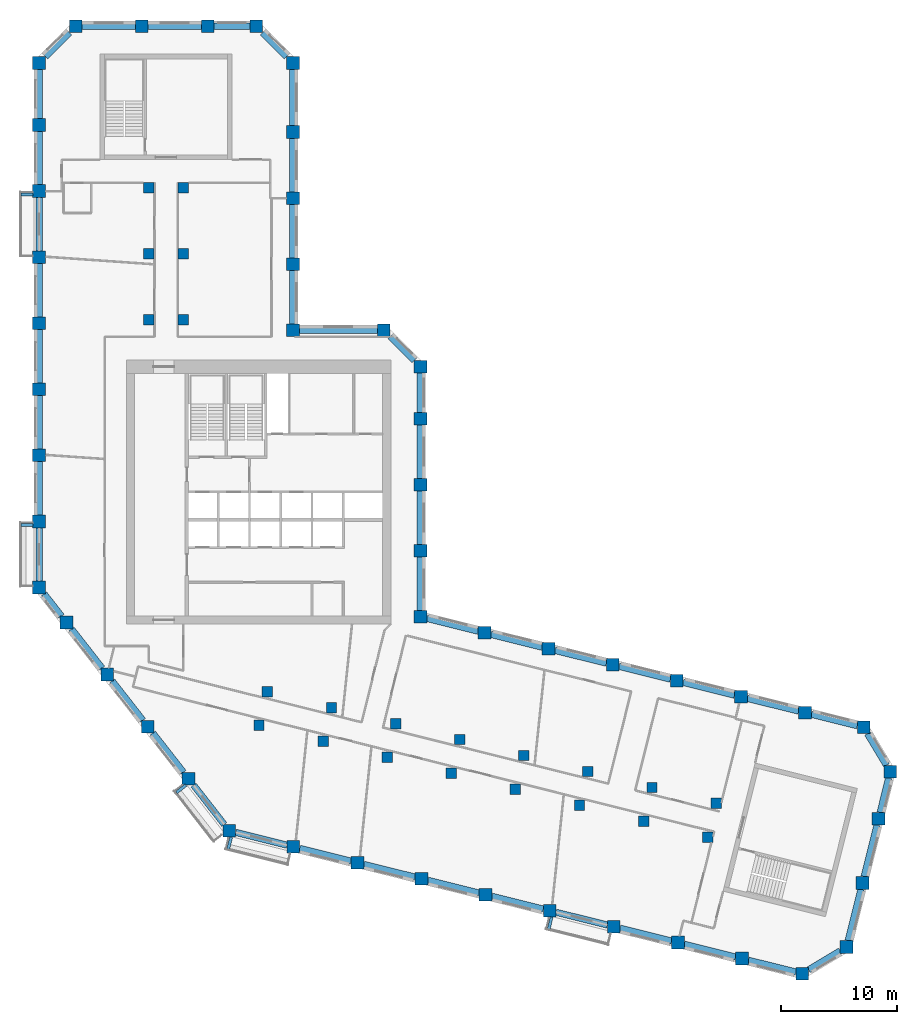
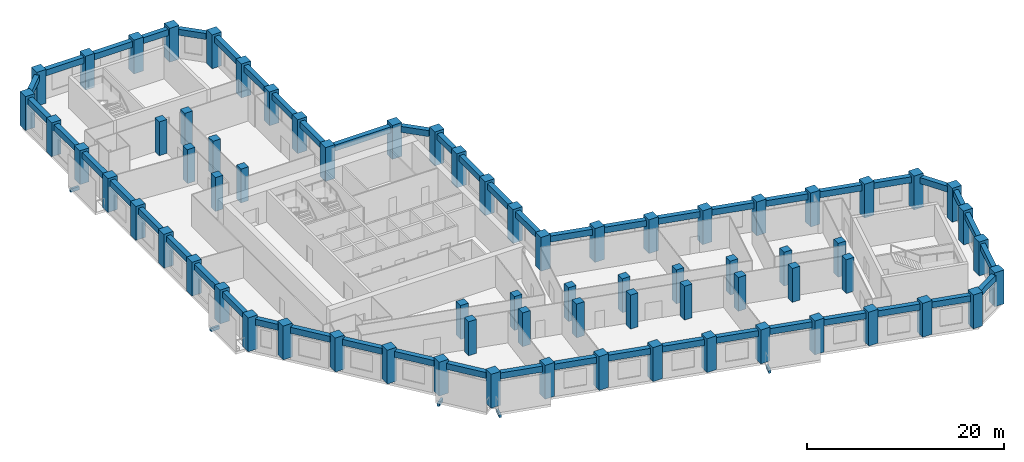
# One storey, part 1 of 10: 71 columns, 54 beams.
"""IFC4 building model written with IfcOpenShell, lengths in metres."""

from ifc_helpers import new_model, si_unit, direction, frame, origin, origin_2d, place, context, subcontext, project, spatial, rectangle, extrude, material, material_profile, profile_set, type_object, element, save


model = new_model("IFC4")

# Units and contexts
model_context = context("Model", 3, precision=1e-05, world=origin(), true_north=direction((0.0, 1.0)))
body_context = subcontext(model_context, "Body", "Model", "MODEL_VIEW")
ifc_project = project(units=[si_unit("LENGTHUNIT", "METRE"), si_unit("AREAUNIT", "SQUARE_METRE"), si_unit("VOLUMEUNIT", "CUBIC_METRE"), si_unit("PLANEANGLEUNIT", "RADIAN"), si_unit("MASSUNIT", "GRAM", prefix="KILO")], contexts=[model_context])

# Site, building, storey
site_placement = place(None, origin())
site = spatial("IfcSite", under=ifc_project, at=site_placement, CompositionType="ELEMENT")
building_placement = place(site_placement, origin())
building = spatial("IfcBuilding", under=site, at=building_placement, Name="Meshkara Civic Tower", CompositionType="ELEMENT")
storey_placement = place(building_placement, frame((0.0, 0.0, 234.0)))
storey = spatial("IfcBuildingStorey", under=building, at=storey_placement, Name="L53", CompositionType="ELEMENT", Elevation=234.0)

# Columns
ifc_material_1 = material(Name="Concrete C60", Category="concrete")
ifc_material_profile_1 = material_profile(ifc_material_1, rectangle(XDim=0.89990234375, YDim=0.89990234375, at=origin_2d()))
ifc_profile_set_1 = profile_set([ifc_material_profile_1], Name="Concrete C60")
column_type_1 = type_object("IfcColumnType", Name="Interior column RC 900x900 C60", PredefinedType="COLUMN", material=ifc_profile_set_1)
for number, where, z_axis, x_axis, name in (
    (1, (9.89990234375, 40.35009765625, 0.0), (0.0, 0.0, 1.0), (1.0, 0.0, 0.0), "Column SA1-04 L53"),
    (2, (9.89990234375, 46.050048828125, 0.0), (0.0, 0.0, 1.0), (1.0, 0.0, 0.0), "Column SA1-05 L53"),
    (3, (9.89990234375, 51.75, 0.0), (0.0, 0.0, 1.0), (1.0, 0.0, 0.0), "Column SA1-06 L53"),
    (4, (12.89990234375, 40.35009765625, 0.0), (0.0, 0.0, 1.0), (1.0, 0.0, 0.0), "Column SA2-04 L53"),
    (5, (12.89990234375, 46.050048828125, 0.0), (0.0, 0.0, 1.0), (1.0, 0.0, 0.0), "Column SA2-05 L53"),
    (6, (12.89990234375, 51.75, 0.0), (0.0, 0.0, 1.0), (1.0, 0.0, 0.0), "Column SA2-06 L53"),
    (7, (19.424072265625, 5.360107421875, 0.0), (0.0, 0.0, 1.0), (1.0, 0.0, 0.0), "Column SB1-00 L53"),
    (8, (24.9541015625, 3.98095703125, 0.0), (0.0, 0.0, 1.0), (1.0, 0.0, 0.0), "Column SB1-01 L53"),
    (9, (30.485107421875, 2.60205078125, 0.0), (0.0, 0.0, 1.0), (1.0, 0.0, 0.0), "Column SB1-02 L53"),
    (10, (36.01611328125, 1.222900390625, 0.0), (0.0, 0.0, 1.0), (1.0, 0.0, 0.0), "Column SB1-03 L53"),
    (11, (41.5458984375, -0.156005859375, 0.0), (0.0, 0.0, 1.0), (1.0, 0.0, 0.0), "Column SB1-04 L53"),
    (12, (47.076904296875, -1.534912109375, 0.0), (0.0, 0.0, 1.0), (1.0, 0.0, 0.0), "Column SB1-05 L53"),
    (13, (52.60791015625, -2.9140625, 0.0), (0.0, 0.0, 1.0), (1.0, 0.0, 0.0), "Column SB1-06 L53"),
    (14, (58.138916015625, -4.2919921875, 0.0), (0.0, 0.0, 1.0), (1.0, 0.0, 0.0), "Column SB1-07 L53"),
    (15, (20.14892578125, 8.27099609375, 0.0), (0.0, 0.0, 1.0), (1.0, 0.0, 0.0), "Column SB2-00 L53"),
    (16, (25.679931640625, 6.89208984375, 0.0), (0.0, 0.0, 1.0), (1.0, 0.0, 0.0), "Column SB2-01 L53"),
    (17, (31.2109375, 5.512939453125, 0.0), (0.0, 0.0, 1.0), (1.0, 0.0, 0.0), "Column SB2-02 L53"),
    (18, (36.741943359375, 4.134033203125, 0.0), (0.0, 0.0, 1.0), (1.0, 0.0, 0.0), "Column SB2-03 L53"),
    (19, (42.27197265625, 2.7548828125, 0.0), (0.0, 0.0, 1.0), (1.0, 0.0, 0.0), "Column SB2-04 L53"),
    (20, (47.802978515625, 1.3759765625, 0.0), (0.0, 0.0, 1.0), (1.0, 0.0, 0.0), "Column SB2-05 L53"),
    (21, (53.333984375, -0.0029296875, 0.0), (0.0, 0.0, 1.0), (1.0, 0.0, 0.0), "Column SB2-06 L53"),
    (22, (58.864013671875, -1.382080078125, 0.0), (0.0, 0.0, 1.0), (1.0, 0.0, 0.0), "Column SB2-07 L53"),
):
    element("IfcColumn", number, at=place(storey_placement, frame(where, z_axis=z_axis, x_axis=x_axis)), inside=storey, type_object=column_type_1, Name=name, PredefinedType="COLUMN", context=body_context, shape_type="SweptSolid", body=[
        extrude(rectangle(XDim=0.89990234375, YDim=0.89990234375, at=origin_2d()), origin(), (0.0, 0.0, 1.0), 4.199951171875),
    ])
ifc_material_2 = material(Name="Concrete C60", Category="concrete")
ifc_material_profile_2 = material_profile(ifc_material_2, rectangle(XDim=1.10009765625, YDim=1.10009765625, at=origin_2d()))
ifc_profile_set_2 = profile_set([ifc_material_profile_2], Name="Concrete C60")
column_type_2 = type_object("IfcColumnType", Name="Perimeter column RC 1100x1100 C60", PredefinedType="COLUMN", material=ifc_profile_set_2)
for number, where, z_axis, x_axis, name in (
    (23, (33.35009765625, 14.718994140625, 0.0), (0.0, 0.0, 1.0), (1.0, 0.0, 0.0), "Column HE00 L53"),
    (24, (33.35009765625, 20.4189453125, 0.0), (0.0, 0.0, 1.0), (1.0, 0.0, 0.0), "Column HE01 L53"),
    (25, (33.35009765625, 26.118896484375, 0.0), (0.0, 0.0, 1.0), (1.0, 0.0, 0.0), "Column HE02 L53"),
    (26, (33.35009765625, 31.819091796875, 0.0), (0.0, 0.0, 1.0), (1.0, 0.0, 0.0), "Column HE03 L53"),
    (27, (33.35009765625, 36.2939453125, 0.0), (0.0, 0.0, 1.0), (1.0, 0.0, 0.0), "Column HEE L53"),
    (28, (30.194091796875, 39.449951171875, 0.0), (0.0, 0.0, 1.0), (1.0, 0.0, 0.0), "Column HCeE L53"),
    (29, (22.35009765625, 39.449951171875, 0.0), (0.0, 0.0, 1.0), (1.0, 0.0, 0.0), "Column HN00 L53"),
    (30, (22.35009765625, 45.14990234375, 0.0), (0.0, 0.0, 1.0), (1.0, 0.0, 0.0), "Column AE01 L53"),
    (31, (22.35009765625, 50.85009765625, 0.0), (0.0, 0.0, 1.0), (1.0, 0.0, 0.0), "Column AE02 L53"),
    (32, (22.35009765625, 56.550048828125, 0.0), (0.0, 0.0, 1.0), (1.0, 0.0, 0.0), "Column AE03 L53"),
    (33, (22.35009765625, 62.513916015625, 0.0), (0.0, 0.0, 1.0), (1.0, 0.0, 0.0), "Column AEEP3 L53"),
    (34, (19.194091796875, 65.669921875, 0.0), (0.0, 0.0, 1.0), (1.0, 0.0, 0.0), "Column ATiEP3 L53"),
    (35, (3.60595703125, 65.669921875, 0.0), (0.0, 0.0, 1.0), (1.0, 0.0, 0.0), "Column AT00-P3 L53"),
    (36, (9.305908203125, 65.669921875, 0.0), (0.0, 0.0, 1.0), (1.0, 0.0, 0.0), "Column AT01-P3 L53"),
    (37, (15.006103515625, 65.669921875, 0.0), (0.0, 0.0, 1.0), (1.0, 0.0, 0.0), "Column AT02-P3 L53"),
    (38, (0.449951171875, 62.513916015625, 0.0), (0.0, 0.0, 1.0), (1.0, 0.0, 0.0), "Column ATo00-P3 L53"),
    (39, (0.449951171875, 17.2548828125, 0.0), (0.0, 0.0, 1.0), (1.0, 0.0, 0.0), "Column AW00 L53"),
    (40, (0.449951171875, 22.955078125, 0.0), (0.0, 0.0, 1.0), (1.0, 0.0, 0.0), "Column AW01 L53"),
    (41, (0.449951171875, 28.655029296875, 0.0), (0.0, 0.0, 1.0), (1.0, 0.0, 0.0), "Column AW02 L53"),
    (42, (0.449951171875, 34.35498046875, 0.0), (0.0, 0.0, 1.0), (1.0, 0.0, 0.0), "Column AW03 L53"),
    (43, (0.449951171875, 40.054931640625, 0.0), (0.0, 0.0, 1.0), (1.0, 0.0, 0.0), "Column AW04 L53"),
    (44, (0.449951171875, 45.7548828125, 0.0), (0.0, 0.0, 1.0), (1.0, 0.0, 0.0), "Column AW05 L53"),
    (45, (0.449951171875, 51.455078125, 0.0), (0.0, 0.0, 1.0), (1.0, 0.0, 0.0), "Column AW06 L53"),
    (46, (0.449951171875, 57.155029296875, 0.0), (0.0, 0.0, 1.0), (1.0, 0.0, 0.0), "Column AW07 L53"),
    (47, (16.85107421875, -3.738037109375, 0.0), (0.0, 0.0, 1.0), (1.0, 0.0, 0.0), "Column BOW00 L53"),
    (48, (13.342041015625, 0.75390625, 0.0), (0.0, 0.0, 1.0), (1.0, 0.0, 0.0), "Column BOW01 L53"),
    (49, (9.8330078125, 5.2451171875, 0.0), (0.0, 0.0, 1.0), (1.0, 0.0, 0.0), "Column BOW02 L53"),
    (50, (6.322998046875, 9.737060546875, 0.0), (0.0, 0.0, 1.0), (1.0, 0.0, 0.0), "Column BOW03 L53"),
    (51, (2.81396484375, 14.22900390625, 0.0), (0.0, 0.0, 1.0), (1.0, 0.0, 0.0), "Column BOW04 L53"),
    (52, (22.382080078125, -5.116943359375, 0.0), (0.0, 0.0, 1.0), (1.0, 0.0, 0.0), "Column BS01 L53"),
    (53, (27.912109375, -6.49609375, 0.0), (0.0, 0.0, 1.0), (1.0, 0.0, 0.0), "Column BS02 L53"),
    (54, (33.443115234375, -7.875, 0.0), (0.0, 0.0, 1.0), (1.0, 0.0, 0.0), "Column BS03 L53"),
    (55, (38.97412109375, -9.2529296875, 0.0), (0.0, 0.0, 1.0), (1.0, 0.0, 0.0), "Column BS04-P1 L53"),
    (56, (44.5048828125, -10.632080078125, 0.0), (0.0, 0.0, 1.0), (1.0, 0.0, 0.0), "Column BS05 L53"),
    (57, (50.034912109375, -12.010986328125, 0.0), (0.0, 0.0, 1.0), (1.0, 0.0, 0.0), "Column BS06 L53"),
    (58, (55.56591796875, -13.389892578125, 0.0), (0.0, 0.0, 1.0), (1.0, 0.0, 0.0), "Column BS07 L53"),
    (59, (61.096923828125, -14.76904296875, 0.0), (0.0, 0.0, 1.0), (1.0, 0.0, 0.0), "Column BS08 L53"),
    (60, (66.2958984375, -16.06494140625, 0.0), (0.0, 0.0, 1.0), (1.0, 0.0, 0.0), "Column BSEP3 L53"),
    (61, (70.1220703125, -13.76611328125, 0.0), (0.0, 0.0, 1.0), (1.0, 0.0, 0.0), "Column BToEP3 L53"),
    (62, (71.5009765625, -8.235107421875, 0.0), (0.0, 0.0, 1.0), (1.0, 0.0, 0.0), "Column BT01-P3 L53"),
    (63, (72.8798828125, -2.705078125, 0.0), (0.0, 0.0, 1.0), (1.0, 0.0, 0.0), "Column BT02-P3 L53"),
    (64, (73.89306640625, 1.35791015625, 0.0), (0.0, 0.0, 1.0), (1.0, 0.0, 0.0), "Column BTEP3 L53"),
    (65, (71.593994140625, 5.18310546875, 0.0), (0.0, 0.0, 1.0), (1.0, 0.0, 0.0), "Column BTi00-P3 L53"),
    (66, (38.881103515625, 13.340087890625, 0.0), (0.0, 0.0, 1.0), (1.0, 0.0, 0.0), "Column BN01 L53"),
    (67, (44.410888671875, 11.9609375, 0.0), (0.0, 0.0, 1.0), (1.0, 0.0, 0.0), "Column BN02 L53"),
    (68, (49.94189453125, 10.58203125, 0.0), (0.0, 0.0, 1.0), (1.0, 0.0, 0.0), "Column BN03 L53"),
    (69, (55.472900390625, 9.202880859375, 0.0), (0.0, 0.0, 1.0), (1.0, 0.0, 0.0), "Column BN04 L53"),
    (70, (61.0029296875, 7.823974609375, 0.0), (0.0, 0.0, 1.0), (1.0, 0.0, 0.0), "Column BN05 L53"),
    (71, (66.533935546875, 6.445068359375, 0.0), (0.0, 0.0, 1.0), (1.0, 0.0, 0.0), "Column BN06 L53"),
):
    element("IfcColumn", number, at=place(storey_placement, frame(where, z_axis=z_axis, x_axis=x_axis)), inside=storey, type_object=column_type_2, Name=name, PredefinedType="COLUMN", context=body_context, shape_type="SweptSolid", body=[
        extrude(rectangle(XDim=1.10009765625, YDim=1.10009765625, at=origin_2d()), origin(), (0.0, 0.0, 1.0), 4.199951171875),
    ])

# Beams
ifc_material_3 = material(Name="Concrete C50", Category="concrete")
ifc_material_profile_3 = material_profile(ifc_material_3, rectangle(XDim=0.25, YDim=0.39990234375, at=origin_2d()))
ifc_profile_set_3 = profile_set([ifc_material_profile_3], Name="Concrete C50")
beam_type_1 = type_object("IfcBeamType", Name="Balcony bracket beam RC 250x400 C50", PredefinedType="BEAM", material=ifc_profile_set_3)
for number, where, z_axis, x_axis, name in (
    (72, (-0.094970703125, 51.155029296875, -0.5), (-1.0, 0.0, 0.0), (0.0, -1.0, 0.0), "Balcony bracket beam"),
    (73, (-0.094970703125, 22.655029296875, -0.5), (-1.0, 0.0, 0.0), (0.0, -1.0, 0.0), "Balcony bracket beam"),
):
    element("IfcBeam", number, at=place(storey_placement, frame(where, z_axis=z_axis, x_axis=x_axis)), inside=storey, type_object=beam_type_1, Name=name, PredefinedType="BEAM", context=body_context, shape_type="SweptSolid", body=[
        extrude(rectangle(XDim=0.25, YDim=0.39990234375, at=origin_2d()), origin(), (0.0, 0.0, 1.0), 1.005126953125),
    ])
beam_1_placement = place(storey_placement, frame((13.12890625, 0.20703125, -0.5), z_axis=(-0.787879244592, -0.615829762143, 0.0), x_axis=(0.615829762143, -0.787879244592, 0.0)))
element("IfcBeam", 74, at=beam_1_placement, inside=storey, type_object=beam_type_1, Name="Balcony bracket beam", PredefinedType="BEAM", context=body_context, shape_type="SweptSolid", body=[
    extrude(rectangle(XDim=0.25, YDim=0.39990234375, at=origin_2d()), origin(), (0.0, 0.0, 1.0), 1.0458984375),
])
beam_2_placement = place(storey_placement, frame((17.02392578125, -4.282958984375, -0.5), z_axis=(-0.241724565462, -0.970344904893, 0.0), x_axis=(0.970344904893, -0.241724565462, 0.0)))
element("IfcBeam", 75, at=beam_2_placement, inside=storey, type_object=beam_type_1, Name="Balcony bracket beam", PredefinedType="BEAM", context=body_context, shape_type="SweptSolid", body=[
    extrude(rectangle(XDim=0.25, YDim=0.39990234375, at=origin_2d()), origin(), (0.0, 0.0, 1.0), 1.0625),
])
beam_3_placement = place(storey_placement, frame((44.677978515625, -11.177001953125, -0.5), z_axis=(-0.241725333206, -0.970344713639, 0.0), x_axis=(0.970344713639, -0.241725333206, 0.0)))
element("IfcBeam", 76, at=beam_3_placement, inside=storey, type_object=beam_type_1, Name="Balcony bracket beam", PredefinedType="BEAM", context=body_context, shape_type="SweptSolid", body=[
    extrude(rectangle(XDim=0.25, YDim=0.39990234375, at=origin_2d()), origin(), (0.0, 0.0, 1.0), 1.0634765625),
])
ifc_material_4 = material(Name="Concrete C60", Category="concrete")
ifc_material_profile_4 = material_profile(ifc_material_4, rectangle(XDim=0.550048828125, YDim=0.75, at=origin_2d()))
ifc_profile_set_4 = profile_set([ifc_material_profile_4], Name="Concrete C60")
beam_type_2 = type_object("IfcBeamType", Name="Spandrel beam RC 550x750 C60", PredefinedType="BEAM", material=ifc_profile_set_4)
beam_4_placement = place(storey_placement, frame((65.989013671875, 6.580810546875, 3.52490234375), z_axis=(-0.970299186733, 0.241908016044, 0.0), x_axis=(-0.241908016044, -0.970299186733, 0.0)))
element("IfcBeam", 77, at=beam_4_placement, inside=storey, type_object=beam_type_2, Name="Spandrel beam BN05-BN06", PredefinedType="BEAM", context=body_context, shape_type="SweptSolid", body=[
    extrude(rectangle(XDim=0.550048828125, YDim=0.75, at=origin_2d()), origin(), (0.0, 0.0, 1.0), 4.576904296875),
])
beam_5_placement = place(storey_placement, frame((60.4580078125, 7.9599609375, 3.52490234375), z_axis=(-0.970286696562, 0.241958108925, 0.0), x_axis=(-0.241958108925, -0.970286696562, 0.0)))
element("IfcBeam", 78, at=beam_5_placement, inside=storey, type_object=beam_type_2, Name="Spandrel beam BN04-BN05", PredefinedType="BEAM", context=body_context, shape_type="SweptSolid", body=[
    extrude(rectangle(XDim=0.550048828125, YDim=0.75, at=origin_2d()), origin(), (0.0, 0.0, 1.0), 4.575927734375),
])
for number, where, z_axis, x_axis, name in (
    (79, (54.927978515625, 9.3388671875, 3.52490234375), (-0.970299186733, 0.241908016044, 0.0), (-0.241908016044, -0.970299186733, 0.0), "Spandrel beam BN03-BN04"),
    (80, (49.39697265625, 10.718017578125, 3.52490234375), (-0.970299186733, 0.241908016044, 0.0), (-0.241908016044, -0.970299186733, 0.0), "Spandrel beam BN02-BN03"),
):
    element("IfcBeam", number, at=place(storey_placement, frame(where, z_axis=z_axis, x_axis=x_axis)), inside=storey, type_object=beam_type_2, Name=name, PredefinedType="BEAM", context=body_context, shape_type="SweptSolid", body=[
        extrude(rectangle(XDim=0.550048828125, YDim=0.75, at=origin_2d()), origin(), (0.0, 0.0, 1.0), 4.576904296875),
    ])
beam_6_placement = place(storey_placement, frame((43.865966796875, 12.096923828125, 3.52490234375), z_axis=(-0.970286696562, 0.241958108925, 0.0), x_axis=(-0.241958108925, -0.970286696562, 0.0)))
element("IfcBeam", 81, at=beam_6_placement, inside=storey, type_object=beam_type_2, Name="Spandrel beam BN01-BN02", PredefinedType="BEAM", context=body_context, shape_type="SweptSolid", body=[
    extrude(rectangle(XDim=0.550048828125, YDim=0.75, at=origin_2d()), origin(), (0.0, 0.0, 1.0), 4.575927734375),
])
beam_7_placement = place(storey_placement, frame((38.3359375, 13.475830078125, 3.52490234375), z_axis=(-0.970299186733, 0.241908016044, 0.0), x_axis=(-0.241908016044, -0.970299186733, 0.0)))
element("IfcBeam", 82, at=beam_7_placement, inside=storey, type_object=beam_type_2, Name="Spandrel beam BN01-HE00", PredefinedType="BEAM", context=body_context, shape_type="SweptSolid", body=[
    extrude(rectangle(XDim=0.550048828125, YDim=0.75, at=origin_2d()), origin(), (0.0, 0.0, 1.0), 4.576904296875),
])
beam_8_placement = place(storey_placement, frame((33.35009765625, 15.263916015625, 3.52490234375), z_axis=(0.0, 1.0, 0.0), x_axis=(-1.0, 0.0, 0.0)))
element("IfcBeam", 83, at=beam_8_placement, inside=storey, type_object=beam_type_2, Name="Spandrel beam HE00-HE01", PredefinedType="BEAM", context=body_context, shape_type="SweptSolid", body=[
    extrude(rectangle(XDim=0.550048828125, YDim=0.75, at=origin_2d()), origin(), (0.0, 0.0, 1.0), 4.610107421875),
])
for number, where, z_axis, x_axis, name in (
    (84, (33.35009765625, 20.964111328125, 3.52490234375), (0.0, 1.0, 0.0), (-1.0, 0.0, 0.0), "Spandrel beam HE01-HE02"),
    (85, (33.35009765625, 26.6640625, 3.52490234375), (0.0, 1.0, 0.0), (-1.0, 0.0, 0.0), "Spandrel beam HE02-HE03"),
):
    element("IfcBeam", number, at=place(storey_placement, frame(where, z_axis=z_axis, x_axis=x_axis)), inside=storey, type_object=beam_type_2, Name=name, PredefinedType="BEAM", context=body_context, shape_type="SweptSolid", body=[
        extrude(rectangle(XDim=0.550048828125, YDim=0.75, at=origin_2d()), origin(), (0.0, 0.0, 1.0), 4.60986328125),
    ])
beam_9_placement = place(storey_placement, frame((33.35009765625, 32.364013671875, 3.52490234375), z_axis=(0.0, 1.0, 0.0), x_axis=(-1.0, 0.0, 0.0)))
element("IfcBeam", 86, at=beam_9_placement, inside=storey, type_object=beam_type_2, Name="Spandrel beam HE03-HEE", PredefinedType="BEAM", context=body_context, shape_type="SweptSolid", body=[
    extrude(rectangle(XDim=0.550048828125, YDim=0.75, at=origin_2d()), origin(), (0.0, 0.0, 1.0), 3.385009765625),
])
beam_10_placement = place(storey_placement, frame((32.803466796875, 36.840576171875, 3.52490234375), z_axis=(-0.707106781187, 0.707106781187, 0.0), x_axis=(-0.707106781187, -0.707106781187, 0.0)))
element("IfcBeam", 87, at=beam_10_placement, inside=storey, type_object=beam_type_2, Name="Spandrel beam HCeE-HEE", PredefinedType="BEAM", context=body_context, shape_type="SweptSolid", body=[
    extrude(rectangle(XDim=0.550048828125, YDim=0.75, at=origin_2d()), origin(), (0.0, 0.0, 1.0), 2.91748046875),
])
beam_11_placement = place(storey_placement, frame((29.64892578125, 39.449951171875, 3.52490234375), z_axis=(-1.0, 0.0, 0.0), x_axis=(0.0, -1.0, 0.0)))
element("IfcBeam", 88, at=beam_11_placement, inside=storey, type_object=beam_type_2, Name="Spandrel beam HCeE-HN00", PredefinedType="BEAM", context=body_context, shape_type="SweptSolid", body=[
    extrude(rectangle(XDim=0.550048828125, YDim=0.75, at=origin_2d()), origin(), (0.0, 0.0, 1.0), 6.75390625),
])
for number, where, z_axis, x_axis, name in (
    (89, (22.35009765625, 39.9951171875, 3.52490234375), (0.0, 1.0, 0.0), (-1.0, 0.0, 0.0), "Spandrel beam AE01-HN00"),
    (90, (22.35009765625, 45.695068359375, 3.52490234375), (0.0, 1.0, 0.0), (-1.0, 0.0, 0.0), "Spandrel beam AE01-AE02"),
    (91, (22.35009765625, 51.39501953125, 3.52490234375), (0.0, 1.0, 0.0), (-1.0, 0.0, 0.0), "Spandrel beam AE02-AE03"),
):
    element("IfcBeam", number, at=place(storey_placement, frame(where, z_axis=z_axis, x_axis=x_axis)), inside=storey, type_object=beam_type_2, Name=name, PredefinedType="BEAM", context=body_context, shape_type="SweptSolid", body=[
        extrude(rectangle(XDim=0.550048828125, YDim=0.75, at=origin_2d()), origin(), (0.0, 0.0, 1.0), 4.60986328125),
    ])
beam_12_placement = place(storey_placement, frame((22.35009765625, 57.094970703125, 3.52490234375), z_axis=(0.0, 1.0, 0.0), x_axis=(-1.0, 0.0, 0.0)))
element("IfcBeam", 92, at=beam_12_placement, inside=storey, type_object=beam_type_2, Name="Spandrel beam AE03-AEEP3", PredefinedType="BEAM", context=body_context, shape_type="SweptSolid", body=[
    extrude(rectangle(XDim=0.550048828125, YDim=0.75, at=origin_2d()), origin(), (0.0, 0.0, 1.0), 4.8740234375),
])
beam_13_placement = place(storey_placement, frame((21.803466796875, 63.060546875, 3.52490234375), z_axis=(-0.707106781187, 0.707106781187, 0.0), x_axis=(-0.707106781187, -0.707106781187, 0.0)))
element("IfcBeam", 93, at=beam_13_placement, inside=storey, type_object=beam_type_2, Name="Spandrel beam AEEP3-ATiEP3", PredefinedType="BEAM", context=body_context, shape_type="SweptSolid", body=[
    extrude(rectangle(XDim=0.550048828125, YDim=0.75, at=origin_2d()), origin(), (0.0, 0.0, 1.0), 2.91748046875),
])
beam_14_placement = place(storey_placement, frame((18.64892578125, 65.669921875, 3.52490234375), z_axis=(-1.0, 0.0, 0.0), x_axis=(0.0, -1.0, 0.0)))
element("IfcBeam", 94, at=beam_14_placement, inside=storey, type_object=beam_type_2, Name="Spandrel beam AT02-P3-ATiEP3", PredefinedType="BEAM", context=body_context, shape_type="SweptSolid", body=[
    extrude(rectangle(XDim=0.550048828125, YDim=0.75, at=origin_2d()), origin(), (0.0, 0.0, 1.0), 3.097900390625),
])
beam_15_placement = place(storey_placement, frame((14.4609375, 65.669921875, 3.52490234375), z_axis=(-1.0, 0.0, 0.0), x_axis=(0.0, -1.0, 0.0)))
element("IfcBeam", 95, at=beam_15_placement, inside=storey, type_object=beam_type_2, Name="Spandrel beam AT01-P3-AT02-P3", PredefinedType="BEAM", context=body_context, shape_type="SweptSolid", body=[
    extrude(rectangle(XDim=0.550048828125, YDim=0.75, at=origin_2d()), origin(), (0.0, 0.0, 1.0), 4.60986328125),
])
beam_16_placement = place(storey_placement, frame((8.760986328125, 65.669921875, 3.52490234375), z_axis=(-1.0, 0.0, 0.0), x_axis=(0.0, -1.0, 0.0)))
element("IfcBeam", 96, at=beam_16_placement, inside=storey, type_object=beam_type_2, Name="Spandrel beam AT00-P3-AT01-P3", PredefinedType="BEAM", context=body_context, shape_type="SweptSolid", body=[
    extrude(rectangle(XDim=0.550048828125, YDim=0.75, at=origin_2d()), origin(), (0.0, 0.0, 1.0), 4.610107421875),
])
beam_17_placement = place(storey_placement, frame((3.0595703125, 65.12353515625, 3.52490234375), z_axis=(-0.707106781187, -0.707106781187, 0.0), x_axis=(0.707106781187, -0.707106781187, 0.0)))
element("IfcBeam", 97, at=beam_17_placement, inside=storey, type_object=beam_type_2, Name="Spandrel beam AT00-P3-ATo00-P3", PredefinedType="BEAM", context=body_context, shape_type="SweptSolid", body=[
    extrude(rectangle(XDim=0.550048828125, YDim=0.75, at=origin_2d()), origin(), (0.0, 0.0, 1.0), 2.91748046875),
])
beam_18_placement = place(storey_placement, frame((0.449951171875, 61.968994140625, 3.52490234375), z_axis=(0.0, -1.0, 0.0), x_axis=(1.0, 0.0, 0.0)))
element("IfcBeam", 98, at=beam_18_placement, inside=storey, type_object=beam_type_2, Name="Spandrel beam ATo00-P3-AW07", PredefinedType="BEAM", context=body_context, shape_type="SweptSolid", body=[
    extrude(rectangle(XDim=0.550048828125, YDim=0.75, at=origin_2d()), origin(), (0.0, 0.0, 1.0), 4.26904296875),
])
beam_19_placement = place(storey_placement, frame((0.449951171875, 56.610107421875, 3.52490234375), z_axis=(0.0, -1.0, 0.0), x_axis=(1.0, 0.0, 0.0)))
element("IfcBeam", 99, at=beam_19_placement, inside=storey, type_object=beam_type_2, Name="Spandrel beam AW06-AW07", PredefinedType="BEAM", context=body_context, shape_type="SweptSolid", body=[
    extrude(rectangle(XDim=0.550048828125, YDim=0.75, at=origin_2d()), origin(), (0.0, 0.0, 1.0), 4.610107421875),
])
for number, where, z_axis, x_axis, name in (
    (100, (0.449951171875, 50.909912109375, 3.52490234375), (0.0, -1.0, 0.0), (1.0, 0.0, 0.0), "Spandrel beam AW05-AW06"),
    (101, (0.449951171875, 45.2099609375, 3.52490234375), (0.0, -1.0, 0.0), (1.0, 0.0, 0.0), "Spandrel beam AW04-AW05"),
):
    element("IfcBeam", number, at=place(storey_placement, frame(where, z_axis=z_axis, x_axis=x_axis)), inside=storey, type_object=beam_type_2, Name=name, PredefinedType="BEAM", context=body_context, shape_type="SweptSolid", body=[
        extrude(rectangle(XDim=0.550048828125, YDim=0.75, at=origin_2d()), origin(), (0.0, 0.0, 1.0), 4.60986328125),
    ])
for number, where, z_axis, x_axis, name in (
    (102, (0.449951171875, 39.510009765625, 3.52490234375), (0.0, -1.0, 0.0), (1.0, 0.0, 0.0), "Spandrel beam AW03-AW04"),
    (103, (0.449951171875, 33.81005859375, 3.52490234375), (0.0, -1.0, 0.0), (1.0, 0.0, 0.0), "Spandrel beam AW02-AW03"),
    (104, (0.449951171875, 28.110107421875, 3.52490234375), (0.0, -1.0, 0.0), (1.0, 0.0, 0.0), "Spandrel beam AW01-AW02"),
):
    element("IfcBeam", number, at=place(storey_placement, frame(where, z_axis=z_axis, x_axis=x_axis)), inside=storey, type_object=beam_type_2, Name=name, PredefinedType="BEAM", context=body_context, shape_type="SweptSolid", body=[
        extrude(rectangle(XDim=0.550048828125, YDim=0.75, at=origin_2d()), origin(), (0.0, 0.0, 1.0), 4.610107421875),
    ])
beam_20_placement = place(storey_placement, frame((0.449951171875, 22.409912109375, 3.52490234375), z_axis=(0.0, -1.0, 0.0), x_axis=(1.0, 0.0, 0.0)))
element("IfcBeam", 105, at=beam_20_placement, inside=storey, type_object=beam_type_2, Name="Spandrel beam AW00-AW01", PredefinedType="BEAM", context=body_context, shape_type="SweptSolid", body=[
    extrude(rectangle(XDim=0.550048828125, YDim=0.75, at=origin_2d()), origin(), (0.0, 0.0, 1.0), 4.60986328125),
])
beam_21_placement = place(storey_placement, frame((0.876708984375, 16.708984375, 3.52490234375), z_axis=(0.615626666257, -0.788037948194, 0.0), x_axis=(0.788037948194, 0.615626666257, 0.0)))
element("IfcBeam", 106, at=beam_21_placement, inside=storey, type_object=beam_type_2, Name="Spandrel beam AW00-BOW04", PredefinedType="BEAM", context=body_context, shape_type="SweptSolid", body=[
    extrude(rectangle(XDim=0.550048828125, YDim=0.75, at=origin_2d()), origin(), (0.0, 0.0, 1.0), 2.4541015625),
])
beam_22_placement = place(storey_placement, frame((3.240478515625, 13.682861328125, 3.52490234375), z_axis=(0.615647336498, -0.788021799865, 0.0), x_axis=(0.788021799865, 0.615647336498, 0.0)))
element("IfcBeam", 107, at=beam_22_placement, inside=storey, type_object=beam_type_2, Name="Spandrel beam BOW03-BOW04", PredefinedType="BEAM", context=body_context, shape_type="SweptSolid", body=[
    extrude(rectangle(XDim=0.550048828125, YDim=0.75, at=origin_2d()), origin(), (0.0, 0.0, 1.0), 4.314208984375),
])
beam_23_placement = place(storey_placement, frame((6.749755859375, 9.19091796875, 3.52490234375), z_axis=(0.615690159083, -0.787988342559, 0.0), x_axis=(0.787988342559, 0.615690159083, 0.0)))
element("IfcBeam", 108, at=beam_23_placement, inside=storey, type_object=beam_type_2, Name="Spandrel beam BOW02-BOW03", PredefinedType="BEAM", context=body_context, shape_type="SweptSolid", body=[
    extrude(rectangle(XDim=0.550048828125, YDim=0.75, at=origin_2d()), origin(), (0.0, 0.0, 1.0), 4.314697265625),
])
beam_24_placement = place(storey_placement, frame((10.259765625, 4.698974609375, 3.52490234375), z_axis=(0.615659419462, -0.788012359819, 0.0), x_axis=(0.788012359819, 0.615659419462, 0.0)))
element("IfcBeam", 109, at=beam_24_placement, inside=storey, type_object=beam_type_2, Name="Spandrel beam BOW01-BOW02", PredefinedType="BEAM", context=body_context, shape_type="SweptSolid", body=[
    extrude(rectangle(XDim=0.550048828125, YDim=0.75, at=origin_2d()), origin(), (0.0, 0.0, 1.0), 4.313232421875),
])
beam_25_placement = place(storey_placement, frame((13.7685546875, 0.2080078125, 3.52490234375), z_axis=(0.615584739249, -0.788070700384, 0.0), x_axis=(0.788070700384, 0.615584739249, 0.0)))
element("IfcBeam", 110, at=beam_25_placement, inside=storey, type_object=beam_type_2, Name="Spandrel beam BOW00-BOW01", PredefinedType="BEAM", context=body_context, shape_type="SweptSolid", body=[
    extrude(rectangle(XDim=0.550048828125, YDim=0.75, at=origin_2d()), origin(), (0.0, 0.0, 1.0), 4.314208984375),
])
beam_26_placement = place(storey_placement, frame((17.39599609375, -3.873779296875, 3.52490234375), z_axis=(0.970286664886, -0.24195823595, 0.0), x_axis=(0.24195823595, 0.970286664886, 0.0)))
element("IfcBeam", 111, at=beam_26_placement, inside=storey, type_object=beam_type_2, Name="Spandrel beam BOW00-BS01", PredefinedType="BEAM", context=body_context, shape_type="SweptSolid", body=[
    extrude(rectangle(XDim=0.550048828125, YDim=0.75, at=origin_2d()), origin(), (0.0, 0.0, 1.0), 4.576904296875),
])
beam_27_placement = place(storey_placement, frame((22.927001953125, -5.2529296875, 3.52490234375), z_axis=(0.970286696562, -0.241958108925, 0.0), x_axis=(0.241958108925, 0.970286696562, 0.0)))
element("IfcBeam", 112, at=beam_27_placement, inside=storey, type_object=beam_type_2, Name="Spandrel beam BS01-BS02", PredefinedType="BEAM", context=body_context, shape_type="SweptSolid", body=[
    extrude(rectangle(XDim=0.550048828125, YDim=0.75, at=origin_2d()), origin(), (0.0, 0.0, 1.0), 4.575927734375),
])
beam_28_placement = place(storey_placement, frame((28.45703125, -6.6318359375, 3.52490234375), z_axis=(0.970299186733, -0.241908016044, 0.0), x_axis=(0.241908016044, 0.970299186733, 0.0)))
element("IfcBeam", 113, at=beam_28_placement, inside=storey, type_object=beam_type_2, Name="Spandrel beam BS02-BS03", PredefinedType="BEAM", context=body_context, shape_type="SweptSolid", body=[
    extrude(rectangle(XDim=0.550048828125, YDim=0.75, at=origin_2d()), origin(), (0.0, 0.0, 1.0), 4.576904296875),
])
beam_29_placement = place(storey_placement, frame((33.988037109375, -8.0107421875, 3.52490234375), z_axis=(0.970336738613, -0.241757344662, 0.0), x_axis=(0.241757344662, 0.970336738613, 0.0)))
element("IfcBeam", 114, at=beam_29_placement, inside=storey, type_object=beam_type_2, Name="Spandrel beam BS03-BS04-P1", PredefinedType="BEAM", context=body_context, shape_type="SweptSolid", body=[
    extrude(rectangle(XDim=0.550048828125, YDim=0.75, at=origin_2d()), origin(), (0.0, 0.0, 1.0), 4.57666015625),
])
beam_30_placement = place(storey_placement, frame((39.51904296875, -9.388916015625, 3.52490234375), z_axis=(0.970299186733, -0.241908016044, 0.0), x_axis=(0.241908016044, 0.970299186733, 0.0)))
element("IfcBeam", 115, at=beam_30_placement, inside=storey, type_object=beam_type_2, Name="Spandrel beam BS04-P1-BS05", PredefinedType="BEAM", context=body_context, shape_type="SweptSolid", body=[
    extrude(rectangle(XDim=0.550048828125, YDim=0.75, at=origin_2d()), origin(), (0.0, 0.0, 1.0), 4.576904296875),
])
beam_31_placement = place(storey_placement, frame((45.050048828125, -10.767822265625, 3.52490234375), z_axis=(0.970286696562, -0.241958108925, 0.0), x_axis=(0.241958108925, 0.970286696562, 0.0)))
element("IfcBeam", 116, at=beam_31_placement, inside=storey, type_object=beam_type_2, Name="Spandrel beam BS05-BS06", PredefinedType="BEAM", context=body_context, shape_type="SweptSolid", body=[
    extrude(rectangle(XDim=0.550048828125, YDim=0.75, at=origin_2d()), origin(), (0.0, 0.0, 1.0), 4.575927734375),
])
for number, where, z_axis, x_axis, name in (
    (117, (50.580078125, -12.14697265625, 3.52490234375), (0.970299186733, -0.241908016044, 0.0), (0.241908016044, 0.970299186733, 0.0), "Spandrel beam BS06-BS07"),
    (118, (56.111083984375, -13.52587890625, 3.52490234375), (0.970299186733, -0.241908016044, 0.0), (0.241908016044, 0.970299186733, 0.0), "Spandrel beam BS07-BS08"),
):
    element("IfcBeam", number, at=place(storey_placement, frame(where, z_axis=z_axis, x_axis=x_axis)), inside=storey, type_object=beam_type_2, Name=name, PredefinedType="BEAM", context=body_context, shape_type="SweptSolid", body=[
        extrude(rectangle(XDim=0.550048828125, YDim=0.75, at=origin_2d()), origin(), (0.0, 0.0, 1.0), 4.576904296875),
    ])
beam_32_placement = place(storey_placement, frame((61.64208984375, -14.90478515625, 3.52490234375), z_axis=(0.970298301424, -0.24191156701, 0.0), x_axis=(0.24191156701, 0.970298301424, 0.0)))
element("IfcBeam", 119, at=beam_32_placement, inside=storey, type_object=beam_type_2, Name="Spandrel beam BS08-BSEP3", PredefinedType="BEAM", context=body_context, shape_type="SweptSolid", body=[
    extrude(rectangle(XDim=0.550048828125, YDim=0.75, at=origin_2d()), origin(), (0.0, 0.0, 1.0), 4.234619140625),
])
beam_33_placement = place(storey_placement, frame((66.841796875, -15.737060546875, 3.52490234375), z_axis=(0.857175401914, 0.51502459199, 0.0), x_axis=(-0.51502459199, 0.857175401914, 0.0)))
element("IfcBeam", 120, at=beam_33_placement, inside=storey, type_object=beam_type_2, Name="Spandrel beam BSEP3-BToEP3", PredefinedType="BEAM", context=body_context, shape_type="SweptSolid", body=[
    extrude(rectangle(XDim=0.550048828125, YDim=0.75, at=origin_2d()), origin(), (0.0, 0.0, 1.0), 3.190185546875),
])
beam_34_placement = place(storey_placement, frame((70.2578125, -13.220947265625, 3.52490234375), z_axis=(0.241908016044, 0.970299186733, 0.0), x_axis=(-0.970299186733, 0.241908016044, 0.0)))
element("IfcBeam", 121, at=beam_34_placement, inside=storey, type_object=beam_type_2, Name="Spandrel beam BT01-P3-BToEP3", PredefinedType="BEAM", context=body_context, shape_type="SweptSolid", body=[
    extrude(rectangle(XDim=0.550048828125, YDim=0.75, at=origin_2d()), origin(), (0.0, 0.0, 1.0), 4.576904296875),
])
beam_35_placement = place(storey_placement, frame((71.636962890625, -7.68994140625, 3.52490234375), z_axis=(0.241958108925, 0.970286696562, 0.0), x_axis=(-0.970286696562, 0.241958108925, 0.0)))
element("IfcBeam", 122, at=beam_35_placement, inside=storey, type_object=beam_type_2, Name="Spandrel beam BT01-P3-BT02-P3", PredefinedType="BEAM", context=body_context, shape_type="SweptSolid", body=[
    extrude(rectangle(XDim=0.550048828125, YDim=0.75, at=origin_2d()), origin(), (0.0, 0.0, 1.0), 4.575927734375),
])
beam_36_placement = place(storey_placement, frame((73.015869140625, -2.159912109375, 3.52490234375), z_axis=(0.24191686251, 0.970296981152, 0.0), x_axis=(-0.970296981152, 0.24191686251, 0.0)))
element("IfcBeam", 123, at=beam_36_placement, inside=storey, type_object=beam_type_2, Name="Spandrel beam BT02-P3-BTEP3", PredefinedType="BEAM", context=body_context, shape_type="SweptSolid", body=[
    extrude(rectangle(XDim=0.550048828125, YDim=0.75, at=origin_2d()), origin(), (0.0, 0.0, 1.0), 3.06396484375),
])
beam_37_placement = place(storey_placement, frame((73.56494140625, 1.90380859375, 3.52490234375), z_axis=(-0.515137320802, 0.857107659934, 0.0), x_axis=(-0.857107659934, -0.515137320802, 0.0)))
element("IfcBeam", 124, at=beam_37_placement, inside=storey, type_object=beam_type_2, Name="Spandrel beam BTEP3-BTi00-P3", PredefinedType="BEAM", context=body_context, shape_type="SweptSolid", body=[
    extrude(rectangle(XDim=0.550048828125, YDim=0.75, at=origin_2d()), origin(), (0.0, 0.0, 1.0), 3.189208984375),
])
beam_38_placement = place(storey_placement, frame((71.048828125, 5.319091796875, 3.52490234375), z_axis=(-0.970282744603, 0.241973956296, 0.0), x_axis=(-0.241973956296, -0.970282744603, 0.0)))
element("IfcBeam", 125, at=beam_38_placement, inside=storey, type_object=beam_type_2, Name="Spandrel beam BN06-BTi00-P3", PredefinedType="BEAM", context=body_context, shape_type="SweptSolid", body=[
    extrude(rectangle(XDim=0.550048828125, YDim=0.75, at=origin_2d()), origin(), (0.0, 0.0, 1.0), 4.09130859375),
])

save(model, "model.ifc")
